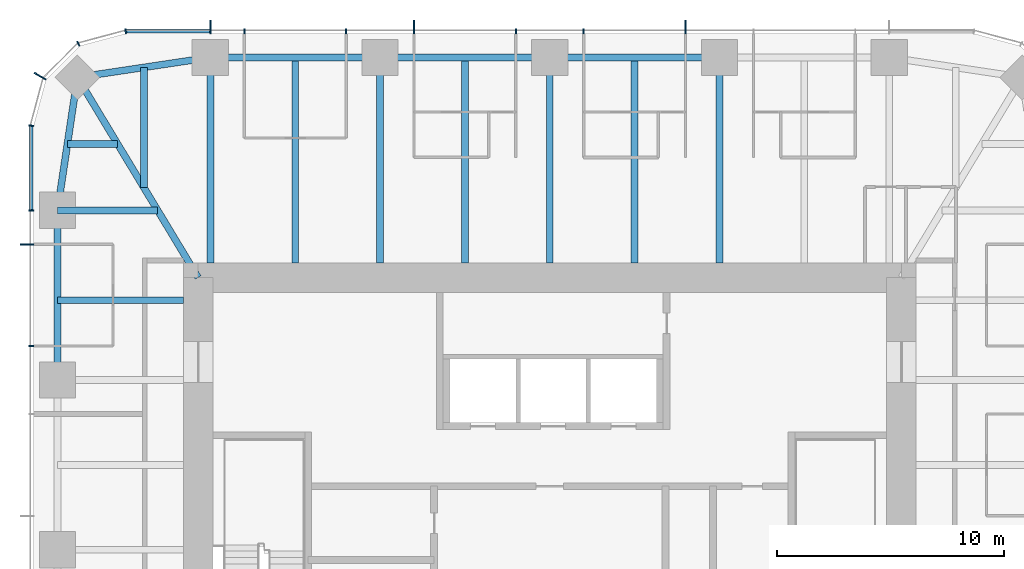
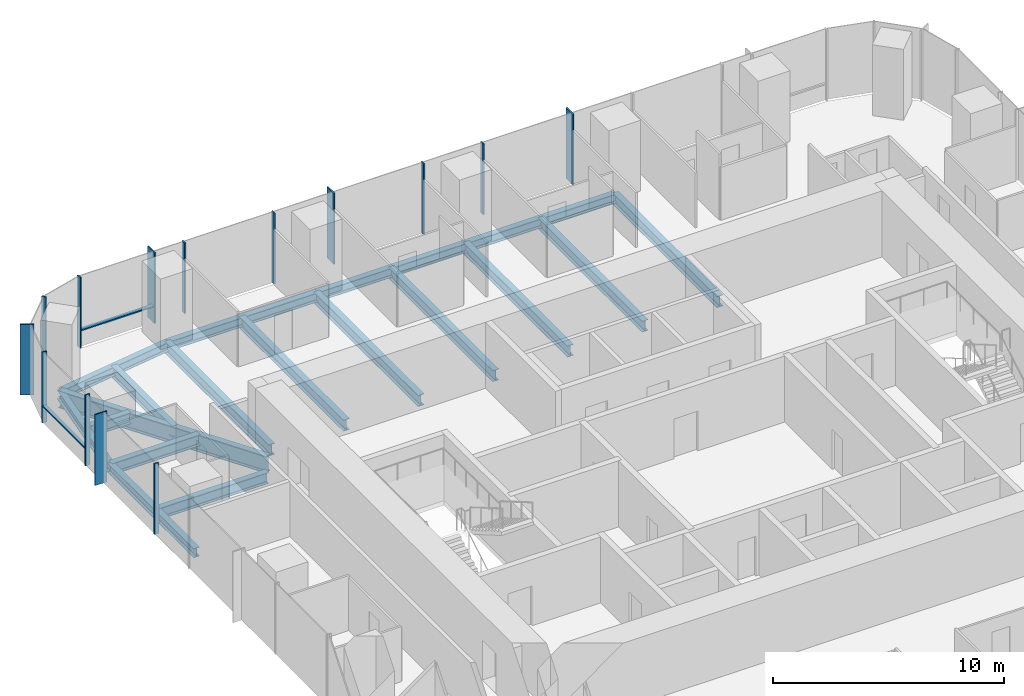
# One storey, part 5 of 12: 18 beams, 16 members, 3 elements without a shape of their own.
"""IFC4 building model written with IfcOpenShell, lengths in metres."""

from ifc_helpers import new_model, si_unit, direction, frame, origin, origin_2d, place, context, subcontext, project, spatial, rectangle, i_section, extrude, material, material_profile, profile_set, type_object, element, aggregate, save


model = new_model("IFC4")

# Units and contexts
model_context = context("Model", 3, precision=1e-05, world=origin(), true_north=direction((0.0, 1.0)))
body_context = subcontext(model_context, "Body", "Model", "MODEL_VIEW")
ifc_project = project(units=[si_unit("LENGTHUNIT", "METRE"), si_unit("AREAUNIT", "SQUARE_METRE"), si_unit("VOLUMEUNIT", "CUBIC_METRE"), si_unit("PLANEANGLEUNIT", "RADIAN"), si_unit("MASSUNIT", "GRAM", prefix="KILO")], contexts=[model_context])

# Site, building, storey
site_placement = place(None, origin())
site = spatial("IfcSite", under=ifc_project, at=site_placement, CompositionType="ELEMENT")
building_placement = place(site_placement, origin())
building = spatial("IfcBuilding", under=site, at=building_placement, Name="Khuree Lantern Residences", CompositionType="ELEMENT")
storey_placement = place(building_placement, frame((0.0, 0.0, 345.75)))
storey = spatial("IfcBuildingStorey", under=building, at=storey_placement, Name="L87", CompositionType="ELEMENT", Elevation=345.75)

# Beams
ifc_material_1 = material(Name="Steel S355", Category="steel")
ifc_material_profile_1 = material_profile(ifc_material_1, i_section(OverallWidth=0.300048828125, OverallDepth=0.590087890625, WebThickness=0.012939453125, FlangeThickness=0.02490234375, FilletRadius=0.027099609375, at=origin_2d()), Name="HE 600 A")
ifc_profile_set_1 = profile_set([ifc_material_profile_1], Name="Steel S355")
beam_type_1 = type_object("IfcBeamType", Name="B-45 SECONDARY BEAM HE 600 A", PredefinedType="BEAM", material=ifc_profile_set_1)
for number, where, z_axis, x_axis, name in (
    (1, (-11.219970703125, 21.699951171875, -0.544921875), (0.0, -1.0, 0.0), (1.0, 0.0, 0.0), "Secondary beam N1"),
    (2, (-3.739990234375, 21.699951171875, -0.544921875), (0.0, -1.0, 0.0), (1.0, 0.0, 0.0), "Secondary beam N2"),
    (3, (3.739990234375, 21.699951171875, -0.544921875), (0.0, -1.0, 0.0), (1.0, 0.0, 0.0), "Secondary beam N3"),
):
    element("IfcBeam", number, at=place(storey_placement, frame(where, z_axis=z_axis, x_axis=x_axis)), inside=storey, type_object=beam_type_1, Name=name, PredefinedType="BEAM", context=body_context, shape_type="SweptSolid", body=[
        extrude(i_section(OverallWidth=0.300048828125, OverallDepth=0.590087890625, WebThickness=0.012939453125, FlangeThickness=0.02490234375, FilletRadius=0.027099609375, at=origin_2d()), origin(), (0.0, 0.0, 1.0), 9.050048828125),
    ])
beam_1_placement = place(storey_placement, frame((-21.699951171875, 11.0, -0.544921875), z_axis=(1.0, 0.0, 0.0), x_axis=(0.0, 1.0, 0.0)))
element("IfcBeam", 4, at=beam_1_placement, inside=storey, type_object=beam_type_1, Name="Secondary beam W5", PredefinedType="BEAM", context=body_context, shape_type="SweptSolid", body=[
    extrude(i_section(OverallWidth=0.300048828125, OverallDepth=0.590087890625, WebThickness=0.012939453125, FlangeThickness=0.02490234375, FilletRadius=0.027099609375, at=origin_2d()), origin(), (0.0, 0.0, 1.0), 5.550048828125),
])
beam_2_placement = place(storey_placement, frame((-21.2607421875, 17.890625, -0.544921875), z_axis=(1.0, 0.0, 0.0), x_axis=(0.0, 1.0, 0.0)))
element("IfcBeam", 5, at=beam_2_placement, inside=storey, type_object=beam_type_1, Name="Secondary beam W6", PredefinedType="BEAM", context=body_context, shape_type="SweptSolid", body=[
    extrude(i_section(OverallWidth=0.300048828125, OverallDepth=0.590087890625, WebThickness=0.012939453125, FlangeThickness=0.02490234375, FilletRadius=0.027099609375, at=origin_2d()), origin(), (0.0, 0.0, 1.0), 2.207275390625),
])
beam_3_placement = place(storey_placement, frame((-17.890625, 21.2607421875, -0.544921875), z_axis=(0.0, -1.0, 0.0), x_axis=(1.0, 0.0, 0.0)))
element("IfcBeam", 6, at=beam_3_placement, inside=storey, type_object=beam_type_1, Name="Secondary beam N6", PredefinedType="BEAM", context=body_context, shape_type="SweptSolid", body=[
    extrude(i_section(OverallWidth=0.300048828125, OverallDepth=0.590087890625, WebThickness=0.012939453125, FlangeThickness=0.02490234375, FilletRadius=0.027099609375, at=origin_2d()), origin(), (0.0, 0.0, 1.0), 5.297607421875),
])
ifc_material_profile_2 = material_profile(ifc_material_1, i_section(OverallWidth=0.300048828125, OverallDepth=0.489990234375, WebThickness=0.011962890625, FlangeThickness=0.02294921875, FilletRadius=0.027099609375, at=origin_2d()), Name="HE 500 A")
ifc_profile_set_2 = profile_set([ifc_material_profile_2], Name="Steel S355")
beam_type_2 = type_object("IfcBeamType", Name="E-45 SPANDREL BEAM HE 500 A", PredefinedType="SPANDREL", material=ifc_profile_set_2)
for number, where, z_axis, x_axis, name in (
    (7, (-14.9599609375, 21.699951171875, -0.4951171875), (1.0, 0.0, 0.0), (0.0, 1.0, 0.0), "Spandrel beam N1"),
    (8, (-7.47998046875, 21.699951171875, -0.4951171875), (1.0, 0.0, 0.0), (0.0, 1.0, 0.0), "Spandrel beam N2"),
    (9, (0.0, 21.699951171875, -0.4951171875), (1.0, 0.0, 0.0), (0.0, 1.0, 0.0), "Spandrel beam N3"),
    (10, (-21.699951171875, 7.47998046875, -0.4951171875), (0.0, 1.0, 0.0), (-1.0, 0.0, 0.0), "Spandrel beam W5"),
):
    element("IfcBeam", number, at=place(storey_placement, frame(where, z_axis=z_axis, x_axis=x_axis)), inside=storey, type_object=beam_type_2, Name=name, PredefinedType="SPANDREL", context=body_context, shape_type="SweptSolid", body=[
        extrude(i_section(OverallWidth=0.300048828125, OverallDepth=0.489990234375, WebThickness=0.011962890625, FlangeThickness=0.02294921875, FilletRadius=0.027099609375, at=origin_2d()), origin(), (0.0, 0.0, 1.0), 7.47998046875),
    ])
for number, where, z_axis, x_axis, name in (
    (11, (-21.699951171875, 14.9599609375, -0.4951171875), (0.148251822985, 0.988949643299, 0.0), (-0.988949643299, 0.148251822985, 0.0), "Spandrel beam W6"),
    (12, (-20.8212890625, 20.8212890625, -0.4951171875), (0.988949643299, 0.148251822985, 0.0), (-0.148251822985, 0.988949643299, 0.0), "Spandrel beam N6"),
):
    element("IfcBeam", number, at=place(storey_placement, frame(where, z_axis=z_axis, x_axis=x_axis)), inside=storey, type_object=beam_type_2, Name=name, PredefinedType="SPANDREL", context=body_context, shape_type="SweptSolid", body=[
        extrude(i_section(OverallWidth=0.300048828125, OverallDepth=0.489990234375, WebThickness=0.011962890625, FlangeThickness=0.02294921875, FilletRadius=0.027099609375, at=origin_2d()), origin(), (0.0, 0.0, 1.0), 5.9267578125),
    ])

# Curtain wall, members
ifc_material_2 = material(Name="Bronze anodised aluminium", Category="aluminium")
curtain_wall_type_1 = type_object("IfcCurtainWallType", Name="CW-T1 TOWER FACE CURTAIN WALL", PredefinedType="USERDEFINED", material=ifc_material_2)
curtain_wall_1_placement = place(storey_placement, origin())
curtain_wall_1 = element("IfcCurtainWall", 13, at=curtain_wall_1_placement, inside=storey, type_object=curtain_wall_type_1, Name="L87 NORTH FACE CURTAIN WALL", ObjectType="Stick-built curtain wall", PredefinedType="USERDEFINED")
ifc_material_profile_3 = material_profile(ifc_material_2, rectangle(XDim=0.06494140625, YDim=0.60009765625, at=origin_2d()), Name="F1 65X600")
ifc_profile_set_3 = profile_set([ifc_material_profile_3], Name="Bronze anodised aluminium")
member_type_1 = type_object("IfcMemberType", Name="F1 BRONZE FIN MULLION TOWER 65X600", PredefinedType="MULLION", material=ifc_profile_set_3)
member_1_placement = place(storey_placement, frame((5.98388671875, 23.050048828125, 0.0), z_axis=(0.0, 0.0, 1.0), x_axis=(-1.0, 0.0, 0.0)))
member_1 = element("IfcMember", 14, at=member_1_placement, type_object=member_type_1, Name="L87 NORTH FACE FIN MULLION 22", PredefinedType="MULLION", context=body_context, shape_type="SweptSolid", body=[
    extrude(rectangle(XDim=0.06494140625, YDim=0.60009765625, at=origin_2d()), origin(), (0.0, 0.0, 1.0), 3.75),
])
member_2_placement = place(storey_placement, frame((-5.98388671875, 23.050048828125, 0.0), z_axis=(0.0, 0.0, 1.0), x_axis=(-1.0, 0.0, 0.0)))
member_2 = element("IfcMember", 15, at=member_2_placement, type_object=member_type_1, Name="L87 NORTH FACE FIN MULLION 25", PredefinedType="MULLION", context=body_context, shape_type="SweptSolid", body=[
    extrude(rectangle(XDim=0.06494140625, YDim=0.60009765625, at=origin_2d()), origin(), (0.0, 0.0, 1.0), 3.75),
])
member_3_placement = place(storey_placement, frame((-14.9599609375, 23.050048828125, 0.0), z_axis=(0.0, 0.0, 1.0), x_axis=(-1.0, 0.0, 0.0)))
member_3 = element("IfcMember", 16, at=member_3_placement, type_object=member_type_1, Name="L87 NORTH FACE FIN MULLION 28", PredefinedType="MULLION", context=body_context, shape_type="SweptSolid", body=[
    extrude(rectangle(XDim=0.06494140625, YDim=0.60009765625, at=origin_2d()), origin(), (0.0, 0.0, 1.0), 3.75),
])

# Curtain wall, member
curtain_wall_type_2 = type_object("IfcCurtainWallType", Name="CW-T2 TOWER CORNER CURTAIN WALL", PredefinedType="USERDEFINED", material=ifc_material_2)
curtain_wall_2_placement = place(storey_placement, origin())
curtain_wall_2 = element("IfcCurtainWall", 17, at=curtain_wall_2_placement, inside=storey, type_object=curtain_wall_type_2, Name="L87 NORTH-WEST CORNER CURTAIN WALL", ObjectType="Faceted corner curtain wall", PredefinedType="USERDEFINED")
member_4_placement = place(storey_placement, frame((-22.46728515625, 20.875, 0.0), z_axis=(0.0, 0.0, 1.0), x_axis=(-0.49999994149, -0.866025437565, 0.0)))
member_4 = element("IfcMember", 18, at=member_4_placement, type_object=member_type_1, Name="L87 NORTH-WEST CORNER FIN MULLION 31", PredefinedType="MULLION", context=body_context, shape_type="SweptSolid", body=[
    extrude(rectangle(XDim=0.06494140625, YDim=0.60009765625, at=origin_2d()), origin(), (0.0, 0.0, 1.0), 3.75),
])

curtain_wall_3_placement = place(storey_placement, origin())
curtain_wall_3 = element("IfcCurtainWall", 19, at=curtain_wall_3_placement, inside=storey, type_object=curtain_wall_type_1, Name="L87 WEST FACE CURTAIN WALL", ObjectType="Stick-built curtain wall", PredefinedType="USERDEFINED")
member_5_placement = place(storey_placement, frame((-23.050048828125, 13.464111328125, 0.0), z_axis=(0.0, 0.0, 1.0), x_axis=(0.0, -1.0, 0.0)))
member_5 = element("IfcMember", 20, at=member_5_placement, type_object=member_type_1, Name="L87 WEST FACE FIN MULLION 34", PredefinedType="MULLION", context=body_context, shape_type="SweptSolid", body=[
    extrude(rectangle(XDim=0.06494140625, YDim=0.60009765625, at=origin_2d()), origin(), (0.0, 0.0, 1.0), 3.75),
])

# Beams
ifc_material_profile_4 = material_profile(ifc_material_1, i_section(OverallWidth=0.300048828125, OverallDepth=0.60009765625, WebThickness=0.015380859375, FlangeThickness=0.030029296875, FilletRadius=0.027099609375, at=origin_2d()), Name="HE 600 B")
ifc_profile_set_4 = profile_set([ifc_material_profile_4], Name="Steel S355")
beam_type_3 = type_object("IfcBeamType", Name="G-45 GIRDER HE 600 B", PredefinedType="BEAM", material=ifc_profile_set_4)
for number, where, z_axis, x_axis, name in (
    (21, (-14.9599609375, 21.699951171875, -0.550048828125), (0.0, -1.0, 0.0), (1.0, 0.0, 0.0), "Girder N1"),
    (22, (-7.47998046875, 21.699951171875, -0.550048828125), (0.0, -1.0, 0.0), (1.0, 0.0, 0.0), "Girder N2"),
    (23, (0.0, 21.699951171875, -0.550048828125), (0.0, -1.0, 0.0), (1.0, 0.0, 0.0), "Girder N3"),
    (24, (7.47998046875, 21.699951171875, -0.550048828125), (0.0, -1.0, 0.0), (1.0, 0.0, 0.0), "Girder N4"),
):
    element("IfcBeam", number, at=place(storey_placement, frame(where, z_axis=z_axis, x_axis=x_axis)), inside=storey, type_object=beam_type_3, Name=name, PredefinedType="BEAM", context=body_context, shape_type="SweptSolid", body=[
        extrude(i_section(OverallWidth=0.300048828125, OverallDepth=0.60009765625, WebThickness=0.015380859375, FlangeThickness=0.030029296875, FilletRadius=0.027099609375, at=origin_2d()), origin(), (0.0, 0.0, 1.0), 9.050048828125),
    ])
beam_4_placement = place(storey_placement, frame((-21.699951171875, 14.9599609375, -0.550048828125), z_axis=(1.0, 0.0, 0.0), x_axis=(0.0, 1.0, 0.0)))
element("IfcBeam", 25, at=beam_4_placement, inside=storey, type_object=beam_type_3, Name="Girder W5", PredefinedType="BEAM", context=body_context, shape_type="SweptSolid", body=[
    extrude(i_section(OverallWidth=0.300048828125, OverallDepth=0.60009765625, WebThickness=0.015380859375, FlangeThickness=0.030029296875, FilletRadius=0.027099609375, at=origin_2d()), origin(), (0.0, 0.0, 1.0), 4.414306640625),
])
ifc_material_profile_5 = material_profile(ifc_material_1, i_section(OverallWidth=0.300048828125, OverallDepth=0.89990234375, WebThickness=0.0185546875, FlangeThickness=0.034912109375, FilletRadius=0.030029296875, at=origin_2d()), Name="HE 900 B")
ifc_profile_set_5 = profile_set([ifc_material_profile_5], Name="Steel S355")
beam_type_4 = type_object("IfcBeamType", Name="GD-45 CORNER GIRDER HE 900 B", PredefinedType="BEAM", material=ifc_profile_set_5)
beam_5_placement = place(storey_placement, frame((-20.8212890625, 20.8212890625, -0.699951171875), z_axis=(0.516529577604, -0.856269347495, 0.0), x_axis=(0.856269347495, 0.516529577604, 0.0)))
element("IfcBeam", 26, at=beam_5_placement, inside=storey, type_object=beam_type_4, Name="Corner girder NW", PredefinedType="BEAM", context=body_context, shape_type="SweptSolid", body=[
    extrude(i_section(OverallWidth=0.300048828125, OverallDepth=0.89990234375, WebThickness=0.0185546875, FlangeThickness=0.034912109375, FilletRadius=0.030029296875, at=origin_2d()), origin(), (0.0, 0.0, 1.0), 10.302001953125),
])

# Member
ifc_material_profile_6 = material_profile(ifc_material_2, rectangle(XDim=0.06494140625, YDim=0.219970703125, at=origin_2d()), Name="M1 65X220")
ifc_profile_set_6 = profile_set([ifc_material_profile_6], Name="Bronze anodised aluminium")
member_type_2 = type_object("IfcMemberType", Name="M1 BRONZE MULLION TOWER 65X220", PredefinedType="MULLION", material=ifc_profile_set_6)
member_6_placement = place(storey_placement, frame((1.49609375, 22.860107421875, 0.0), z_axis=(0.0, 0.0, 1.0), x_axis=(-1.0, 0.0, 0.0)))
member_6 = element("IfcMember", 27, at=member_6_placement, type_object=member_type_2, Name="L87 NORTH FACE MULLION 23", PredefinedType="MULLION", context=body_context, shape_type="SweptSolid", body=[
    extrude(rectangle(XDim=0.06494140625, YDim=0.219970703125, at=origin_2d()), origin(), (0.0, 0.0, 1.0), 3.75),
])

member_7_placement = place(storey_placement, frame((-1.49609375, 22.860107421875, 0.0), z_axis=(0.0, 0.0, 1.0), x_axis=(-1.0, 0.0, 0.0)))
member_7 = element("IfcMember", 28, at=member_7_placement, type_object=member_type_2, Name="L87 NORTH FACE MULLION 24", PredefinedType="MULLION", context=body_context, shape_type="SweptSolid", body=[
    extrude(rectangle(XDim=0.06494140625, YDim=0.219970703125, at=origin_2d()), origin(), (0.0, 0.0, 1.0), 3.75),
])

member_8_placement = place(storey_placement, frame((-8.97607421875, 22.860107421875, 0.0), z_axis=(0.0, 0.0, 1.0), x_axis=(-1.0, 0.0, 0.0)))
member_8 = element("IfcMember", 29, at=member_8_placement, type_object=member_type_2, Name="L87 NORTH FACE MULLION 26", PredefinedType="MULLION", context=body_context, shape_type="SweptSolid", body=[
    extrude(rectangle(XDim=0.06494140625, YDim=0.219970703125, at=origin_2d()), origin(), (0.0, 0.0, 1.0), 3.75),
])

member_9_placement = place(storey_placement, frame((-13.464111328125, 22.860107421875, 0.0), z_axis=(0.0, 0.0, 1.0), x_axis=(-1.0, 0.0, 0.0)))
member_9 = element("IfcMember", 30, at=member_9_placement, type_object=member_type_2, Name="L87 NORTH FACE MULLION 27", PredefinedType="MULLION", context=body_context, shape_type="SweptSolid", body=[
    extrude(rectangle(XDim=0.06494140625, YDim=0.219970703125, at=origin_2d()), origin(), (0.0, 0.0, 1.0), 3.75),
])

member_10_placement = place(storey_placement, frame((-18.695068359375, 22.86181640625, 0.0), z_axis=(0.0, 0.0, 1.0), x_axis=(-0.991444870192, -0.130526125236, 0.0)))
member_10 = element("IfcMember", 31, at=member_10_placement, type_object=member_type_2, Name="L87 NORTH-WEST CORNER MULLION 29", PredefinedType="MULLION", context=body_context, shape_type="SweptSolid", body=[
    extrude(rectangle(XDim=0.06494140625, YDim=0.219970703125, at=origin_2d()), origin(), (0.0, 0.0, 1.0), 3.75),
])

member_11_placement = place(storey_placement, frame((-20.780029296875, 22.302734375, 0.0), z_axis=(0.0, 0.0, 1.0), x_axis=(-0.866025437565, -0.49999994149, 0.0)))
member_11 = element("IfcMember", 32, at=member_11_placement, type_object=member_type_2, Name="L87 NORTH-WEST CORNER MULLION 30", PredefinedType="MULLION", context=body_context, shape_type="SweptSolid", body=[
    extrude(rectangle(XDim=0.06494140625, YDim=0.219970703125, at=origin_2d()), origin(), (0.0, 0.0, 1.0), 3.75),
])

aggregate(curtain_wall_2, [member_10, member_11, member_4])

member_12_placement = place(storey_placement, frame((-22.86181640625, 18.695068359375, 0.0), z_axis=(0.0, 0.0, 1.0), x_axis=(-0.130526125236, -0.991444870192, 0.0)))
member_12 = element("IfcMember", 33, at=member_12_placement, type_object=member_type_2, Name="L87 WEST FACE MULLION 32", PredefinedType="MULLION", context=body_context, shape_type="SweptSolid", body=[
    extrude(rectangle(XDim=0.06494140625, YDim=0.219970703125, at=origin_2d()), origin(), (0.0, 0.0, 1.0), 3.75),
])

member_13_placement = place(storey_placement, frame((-22.860107421875, 14.9599609375, 0.0), z_axis=(0.0, 0.0, 1.0), x_axis=(0.0, -1.0, 0.0)))
member_13 = element("IfcMember", 34, at=member_13_placement, type_object=member_type_2, Name="L87 WEST FACE MULLION 33", PredefinedType="MULLION", context=body_context, shape_type="SweptSolid", body=[
    extrude(rectangle(XDim=0.06494140625, YDim=0.219970703125, at=origin_2d()), origin(), (0.0, 0.0, 1.0), 3.75),
])

member_14_placement = place(storey_placement, frame((-22.860107421875, 8.97607421875, 0.0), z_axis=(0.0, 0.0, 1.0), x_axis=(0.0, -1.0, 0.0)))
member_14 = element("IfcMember", 35, at=member_14_placement, type_object=member_type_2, Name="L87 WEST FACE MULLION 35", PredefinedType="MULLION", context=body_context, shape_type="SweptSolid", body=[
    extrude(rectangle(XDim=0.06494140625, YDim=0.219970703125, at=origin_2d()), origin(), (0.0, 0.0, 1.0), 3.75),
])

ifc_material_profile_7 = material_profile(ifc_material_2, rectangle(XDim=0.179931640625, YDim=0.06494140625, at=origin_2d()), Name="T1 180X65")
ifc_profile_set_7 = profile_set([ifc_material_profile_7], Name="Bronze anodised aluminium")
member_type_3 = type_object("IfcMemberType", Name="TRANSOM T1 TOWER 180X65", PredefinedType="USERDEFINED", material=ifc_profile_set_7)
member_15_placement = place(storey_placement, frame((-14.992431640625, 22.8701171875, 0.89990234375), z_axis=(-1.0, 0.0, 0.0), x_axis=(0.0, -1.0, 0.0)))
member_15 = element("IfcMember", 36, at=member_15_placement, type_object=member_type_3, Name="L87 NORTH FACE TRANSOM 28.1", ObjectType="Transom", PredefinedType="USERDEFINED", context=body_context, shape_type="SweptSolid", body=[
    extrude(rectangle(XDim=0.179931640625, YDim=0.06494140625, at=origin_2d()), origin(), (0.0, 0.0, 1.0), 3.658935546875),
])

aggregate(curtain_wall_1, [member_1, member_6, member_7, member_2, member_8, member_9, member_3, member_15])

member_16_placement = place(storey_placement, frame((-22.8701171875, 18.6513671875, 0.89990234375), z_axis=(0.0, -1.0, 0.0), x_axis=(1.0, 0.0, 0.0)))
member_16 = element("IfcMember", 37, at=member_16_placement, type_object=member_type_3, Name="L87 WEST FACE TRANSOM 32.1", ObjectType="Transom", PredefinedType="USERDEFINED", context=body_context, shape_type="SweptSolid", body=[
    extrude(rectangle(XDim=0.179931640625, YDim=0.06494140625, at=origin_2d()), origin(), (0.0, 0.0, 1.0), 3.658935546875),
])

aggregate(curtain_wall_3, [member_12, member_13, member_5, member_14, member_16])

save(model, "model.ifc")
